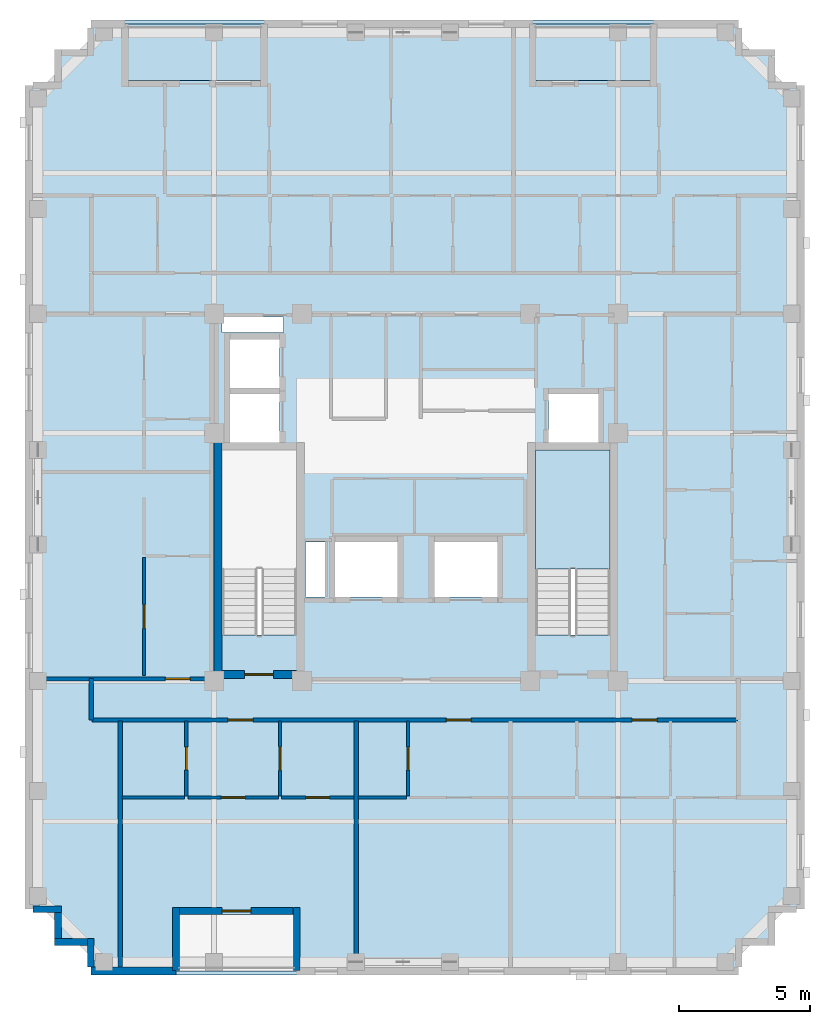
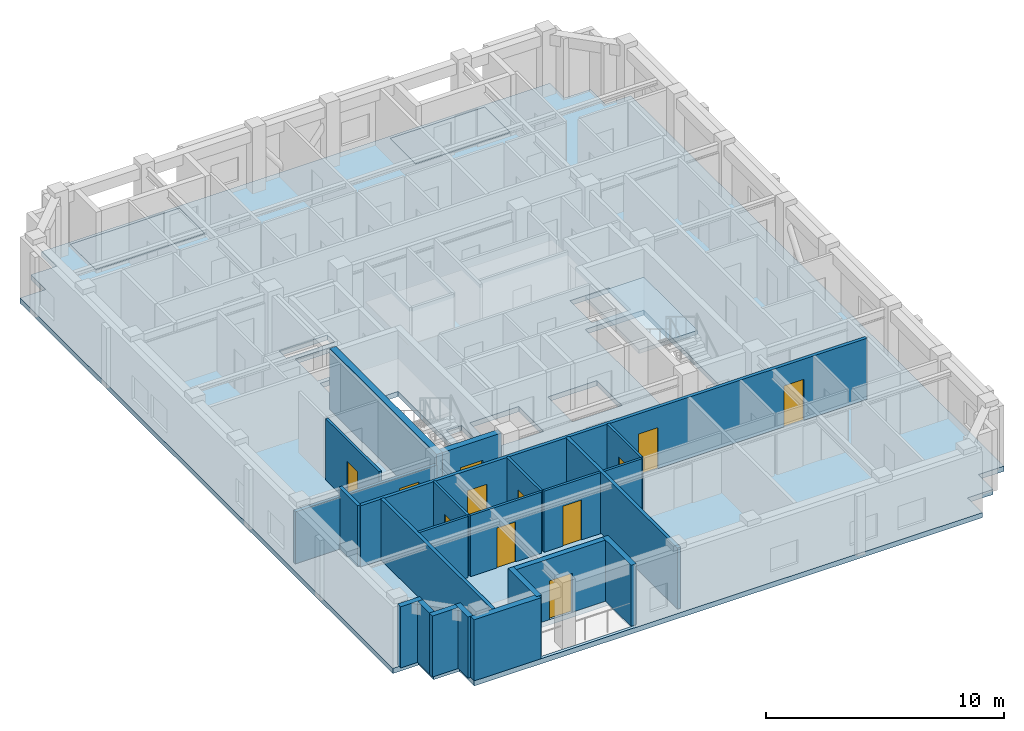
# One storey, part 2 of 11: 23 walls, 12 doors, 4 slabs, 12 openings, 1 element without a shape of its own.
"""IFC4 building model written with IfcOpenShell, lengths in metres."""

from ifc_helpers import new_model, si_unit, derived_unit, direction, frame, frame_2d, origin, place, context, subcontext, project, spatial, polyline, rectangle, outline, extrude, material, layer, layer_set, type_object, element, fill, aggregate, save


model = new_model("IFC4")

# Units and contexts
model_context = context("Model", 3, precision=1e-05, world=origin(), true_north=direction((0.0, 1.0)))
body_context = subcontext(model_context, "Body", "Model", "MODEL_VIEW")
ifc_project = project(units=[si_unit("LENGTHUNIT", "METRE"), si_unit("AREAUNIT", "SQUARE_METRE"), si_unit("VOLUMEUNIT", "CUBIC_METRE"), si_unit("PLANEANGLEUNIT", "RADIAN"), si_unit("MASSUNIT", "GRAM", prefix="KILO"), derived_unit("THERMALTRANSMITTANCEUNIT", [(si_unit("MASSUNIT", "GRAM", prefix="KILO"), 1), (si_unit("TIMEUNIT", "SECOND"), -3), (si_unit("THERMODYNAMICTEMPERATUREUNIT", "KELVIN"), -1)])], contexts=[model_context])

# Site, building, storey
site_placement = place(None, origin())
site = spatial("IfcSite", under=ifc_project, at=site_placement, CompositionType="ELEMENT")
building_placement = place(site_placement, origin())
building = spatial("IfcBuilding", under=site, at=building_placement, Name="Korrvale Station Residences", CompositionType="ELEMENT")
storey_placement = place(building_placement, frame((0.0, 0.0, 251.300048828125)))
storey = spatial("IfcBuildingStorey", under=building, at=storey_placement, Name="L73", CompositionType="ELEMENT", Elevation=251.300048828125)

# Slabs
ifc_material_1 = material(Name="Concrete C50/60", Category="concrete")
ifc_layer_1 = layer(ifc_material_1, 0.219970703125, Name="Concrete C50/60")
ifc_layer_set_1 = layer_set([ifc_layer_1], Name="Concrete C50/60")
slab_type_1 = type_object("IfcSlabType", Name="SLB-BAL-220", PredefinedType="FLOOR", material=ifc_layer_set_1)
slab_1_placement = place(storey_placement, frame((0.0, 0.0, -0.219970703125)))
element("IfcSlab", 1, at=slab_1_placement, inside=storey, type_object=slab_type_1, Name="L73 Recessed Loggia Balcony Slab BAL-L73-N1", PredefinedType="FLOOR", context=body_context, shape_type="SweptSolid", body=[
    extrude(outline(polyline([(29.949951171875, 37.89990234375), (34.550048828125, 37.89990234375), (34.550048828125, 40.050048828125), (29.949951171875, 40.050048828125), (29.949951171875, 37.89990234375)])), origin(), (0.0, 0.0, 1.0), 0.219970703125),
])
slab_2_placement = place(storey_placement, frame((0.0, 0.0, -0.219970703125)))
element("IfcSlab", 2, at=slab_2_placement, inside=storey, type_object=slab_type_1, Name="L73 Recessed Loggia Balcony Slab BAL-L73-N2", PredefinedType="FLOOR", context=body_context, shape_type="SweptSolid", body=[
    extrude(outline(polyline([(14.39990234375, 37.89990234375), (19.699951171875, 37.89990234375), (19.699951171875, 40.050048828125), (14.39990234375, 40.050048828125), (14.39990234375, 37.89990234375)])), origin(), (0.0, 0.0, 1.0), 0.219970703125),
])
ifc_layer_2 = layer(ifc_material_1, 0.260009765625, Name="Concrete C50/60")
ifc_layer_set_2 = layer_set([ifc_layer_2], Name="Concrete C50/60")
slab_type_2 = type_object("IfcSlabType", Name="SLB-FLR-260", PredefinedType="FLOOR", material=ifc_layer_set_2)
slab_3_placement = place(storey_placement, frame((0.0, 0.0, -0.260009765625)))
element("IfcSlab", 3, at=slab_3_placement, inside=storey, type_object=slab_type_2, Name="L73 Suspended Structural Floor Slab", PredefinedType="FLOOR", context=body_context, shape_type="SweptSolid", body=[
    extrude(outline(polyline([(13.10009765625, 3.800048828125), (37.800048828125, 3.800048828125), (37.800048828125, 5.050048828125), (39.050048828125, 5.050048828125), (39.050048828125, 6.300048828125), (40.300048828125, 6.300048828125), (40.300048828125, 37.699951171875), (39.050048828125, 37.699951171875), (39.050048828125, 38.949951171875), (37.800048828125, 38.949951171875), (37.800048828125, 40.199951171875), (13.10009765625, 40.199951171875), (13.10009765625, 38.949951171875), (11.85009765625, 38.949951171875), (11.85009765625, 37.699951171875), (10.60009765625, 37.699951171875), (10.60009765625, 6.300048828125), (11.85009765625, 6.300048828125), (11.85009765625, 5.050048828125), (13.10009765625, 5.050048828125), (13.10009765625, 3.800048828125)]), holes=[polyline([(20.949951171875, 16.751953125), (20.949951171875, 23.800048828125), (18.10009765625, 23.800048828125), (18.10009765625, 16.751953125), (20.949951171875, 16.751953125)]), polyline([(32.89990234375, 16.751953125), (32.89990234375, 23.800048828125), (30.050048828125, 23.800048828125), (30.050048828125, 16.751953125), (32.89990234375, 16.751953125)]), polyline([(18.39990234375, 24.10009765625), (20.300048828125, 24.10009765625), (20.300048828125, 25.949951171875), (18.39990234375, 25.949951171875), (18.39990234375, 24.10009765625)]), polyline([(18.39990234375, 26.169921875), (20.300048828125, 26.169921875), (20.300048828125, 28.02001953125), (18.39990234375, 28.02001953125), (18.39990234375, 26.169921875)]), polyline([(30.550048828125, 24.10009765625), (32.449951171875, 24.10009765625), (32.449951171875, 25.949951171875), (30.550048828125, 25.949951171875), (30.550048828125, 24.10009765625)]), polyline([(22.39990234375, 18.199951171875), (24.800048828125, 18.199951171875), (24.800048828125, 20.300048828125), (22.39990234375, 20.300048828125), (22.39990234375, 18.199951171875)]), polyline([(26.199951171875, 18.199951171875), (28.60009765625, 18.199951171875), (28.60009765625, 20.300048828125), (26.199951171875, 20.300048828125), (26.199951171875, 18.199951171875)]), polyline([(18.10009765625, 28.280029296875), (20.449951171875, 28.280029296875), (20.449951171875, 28.8798828125), (18.10009765625, 28.8798828125), (18.10009765625, 28.280029296875)]), polyline([(21.280029296875, 18.199951171875), (22.02001953125, 18.199951171875), (22.02001953125, 20.300048828125), (21.280029296875, 20.300048828125), (21.280029296875, 18.199951171875)]), polyline([(16.35009765625, 3.949951171875), (20.949951171875, 3.949951171875), (20.949951171875, 6.10009765625), (16.35009765625, 6.10009765625), (16.35009765625, 3.949951171875)]), polyline([(29.949951171875, 37.89990234375), (34.550048828125, 37.89990234375), (34.550048828125, 40.050048828125), (29.949951171875, 40.050048828125), (29.949951171875, 37.89990234375)]), polyline([(14.39990234375, 37.89990234375), (19.699951171875, 37.89990234375), (19.699951171875, 40.050048828125), (14.39990234375, 40.050048828125), (14.39990234375, 37.89990234375)])]), origin(), (0.0, 0.0, 1.0), 0.260009765625),
])

# Stair, slab
stair_type = type_object("IfcStairType", Name="STR-DL-1350-20R-1700", PredefinedType="HALF_TURN_STAIR", material=ifc_material_1)
stair_placement = place(storey_placement, origin())
stair = element("IfcStair", 4, at=stair_placement, inside=storey, type_object=stair_type, Name="L73 Exit Stair 2", PredefinedType="HALF_TURN_STAIR")
ifc_layer_3 = layer(ifc_material_1, 0.199951171875, Name="Concrete C50/60")
ifc_layer_set_3 = layer_set([ifc_layer_3], Name="Concrete C50/60")
slab_type_3 = type_object("IfcSlabType", Name="SLB-LND-200", PredefinedType="LANDING", material=ifc_layer_set_3)
slab_4_placement = place(storey_placement, frame((0.0, 0.0, 1.5)))
slab_4 = element("IfcSlab", 5, at=slab_4_placement, type_object=slab_type_3, Name="ST-2 landing 1", PredefinedType="LANDING", context=body_context, shape_type="SweptSolid", body=[
    extrude(outline(polyline([(32.89990234375, 19.27001953125), (32.89990234375, 23.800048828125), (30.050048828125, 23.800048828125), (30.050048828125, 19.27001953125), (32.89990234375, 19.27001953125)])), origin(), (0.0, 0.0, 1.0), 0.199951171875),
])
aggregate(stair, [slab_4])

# Wall
ifc_layer_4 = layer(ifc_material_1, 0.300048828125, Name="Concrete C50/60")
ifc_layer_set_4 = layer_set([ifc_layer_4], Name="Concrete C50/60")
wall_type_1 = type_object("IfcWallType", Name="WAL-CORE-300-C50", PredefinedType="SHEAR", material=ifc_layer_set_4)
wall_1_placement = place(storey_placement, frame((17.949951171875, 15.10009765625, 0.0), z_axis=(0.0, 0.0, 1.0), x_axis=(0.0, 1.0, 0.0)))
element("IfcWall", 6, at=wall_1_placement, inside=storey, type_object=wall_type_1, Name="L73 ST-1 Core Shear Wall West", PredefinedType="SHEAR", context=body_context, shape_type="SweptSolid", body=[
    extrude(rectangle(XDim=9.0, YDim=0.300048828125, at=frame_2d((4.5, 0.0))), origin(), (0.0, 0.0, 1.0), 3.139892578125),
])

# Wall, opening, door
wall_2_placement = place(storey_placement, frame((18.10009765625, 15.25, 0.0), z_axis=(0.0, 0.0, 1.0), x_axis=(1.0, 0.0, 0.0)))
wall_2 = element("IfcWall", 7, at=wall_2_placement, inside=storey, type_object=wall_type_1, Name="L73 ST-1 Core Shear Wall South", PredefinedType="SHEAR", context=body_context, shape_type="SweptSolid", body=[
    extrude(rectangle(XDim=2.849853515625, YDim=0.300048828125, at=frame_2d((1.4248046875, 0.0))), origin(), (0.0, 0.0, 1.0), 3.139892578125),
])
opening_1_placement = place(wall_2_placement, frame((0.860107421875, 0.0, 0.0)))
opening_1 = element("IfcOpeningElement", 8, at=opening_1_placement, cuts=wall_2, Name="Opening SD-1100", PredefinedType="OPENING", context=body_context, shape_type="SweptSolid", body=[
    extrude(rectangle(XDim=1.10009765625, YDim=2.050048828125, at=frame_2d((0.550048828125, 1.02490234375))), frame((0.0, 0.16015625, 0.0), z_axis=(0.0, -1.0, 0.0), x_axis=(1.0, 0.0, 0.0)), (0.0, 0.0, 1.0), 0.320068359375),
])
ifc_material_2 = material(Name="Hollow-metal fire-rated stair door with closer", Category="steel")
door_type_1 = type_object("IfcDoorType", Name="DR-STAIR-1100", OperationType="NOTDEFINED", PredefinedType="DOOR", material=ifc_material_2)
door_1_placement = place(opening_1_placement, origin())
door_1 = element("IfcDoor", 9, at=door_1_placement, inside=storey, type_object=door_type_1, Name="L73 ST-1 Exit Stair Door", OperationType="SINGLE_SWING_LEFT", OverallHeight=2.050048828125, OverallWidth=1.10009765625, PredefinedType="DOOR", context=body_context, shape_type="SweptSolid", body=[
    extrude(rectangle(XDim=1.10009765625, YDim=2.050048828125, at=frame_2d((0.550048828125, 1.02490234375))), frame((0.0, 0.02490234375, 0.0), z_axis=(0.0, -1.0, 0.0), x_axis=(1.0, 0.0, 0.0)), (0.0, 0.0, 1.0), 0.050048828125),
])
fill(opening_1, door_1)

# Wall
ifc_material_3 = material(Name="Precast concrete C45/55", Category="concrete")
ifc_layer_5 = layer(ifc_material_3, 0.260009765625, Name="Precast concrete C45/55")
ifc_layer_set_5 = layer_set([ifc_layer_5], Name="Precast concrete C45/55")
wall_type_2 = type_object("IfcWallType", Name="WAL-EXT-LOG260", PredefinedType="SOLIDWALL", material=ifc_layer_set_5)
wall_3_placement = place(storey_placement, frame((20.949951171875, 3.9599609375, 0.0), z_axis=(0.0, 0.0, 1.0), x_axis=(0.0, 1.0, 0.0)))
element("IfcWall", 10, at=wall_3_placement, inside=storey, type_object=wall_type_2, Name="L73 Recessed Loggia Wall BAL-L73-S1-L", PredefinedType="SOLIDWALL", context=body_context, shape_type="SweptSolid", body=[
    extrude(rectangle(XDim=2.400146484375, YDim=0.260009765625, at=frame_2d((1.2001953125, 0.0))), origin(), (0.0, 0.0, 1.0), 3.139892578125),
])

# Wall, opening, door
wall_4_placement = place(storey_placement, frame((20.81591796875, 6.22998046875, 0.0), z_axis=(0.0, 0.0, 1.0), x_axis=(-1.0, 0.0, 0.0)))
wall_4 = element("IfcWall", 11, at=wall_4_placement, inside=storey, type_object=wall_type_2, Name="L73 Recessed Loggia Wall BAL-L73-S1-B", PredefinedType="SOLIDWALL", context=body_context, shape_type="SweptSolid", body=[
    extrude(rectangle(XDim=4.33203125, YDim=0.260009765625, at=frame_2d((2.166015625, 0.0))), origin(), (0.0, 0.0, 1.0), 3.139892578125),
])
opening_2_placement = place(wall_4_placement, frame((1.615966796875, 0.0, 0.0)))
opening_2 = element("IfcOpeningElement", 12, at=opening_2_placement, cuts=wall_4, Name="Opening BD-01", PredefinedType="OPENING", context=body_context, shape_type="SweptSolid", body=[
    extrude(rectangle(XDim=1.10009765625, YDim=2.0, at=frame_2d((0.550048828125, 1.0))), frame((0.0, 0.14013671875, 0.0), z_axis=(0.0, -1.0, 0.0), x_axis=(1.0, 0.0, 0.0)), (0.0, 0.0, 1.0), 0.280029296875),
])
ifc_material_4 = material(Name="Exterior thermally broken aluminium glazed balcony door", Category="aluminium")
door_type_2 = type_object("IfcDoorType", Name="DR-EXT-BAL", OperationType="NOTDEFINED", PredefinedType="DOOR", material=ifc_material_4)
door_2_placement = place(opening_2_placement, origin())
door_2 = element("IfcDoor", 13, at=door_2_placement, inside=storey, type_object=door_type_2, Name="L73 Loggia Balcony Door BAL-L73-S1", OperationType="SINGLE_SWING_RIGHT", OverallHeight=2.0, OverallWidth=1.10009765625, PredefinedType="DOOR", context=body_context, shape_type="SweptSolid", body=[
    extrude(rectangle(XDim=1.10009765625, YDim=2.0, at=frame_2d((0.550048828125, 1.0))), frame((0.0, 0.02490234375, 0.0), z_axis=(0.0, -1.0, 0.0), x_axis=(1.0, 0.0, 0.0)), (0.0, 0.0, 1.0), 0.050048828125),
])
fill(opening_2, door_2)

# Walls
wall_5_placement = place(storey_placement, frame((16.35009765625, 6.360107421875, 0.0), z_axis=(0.0, 0.0, 1.0), x_axis=(0.0, -1.0, 0.0)))
element("IfcWall", 14, at=wall_5_placement, inside=storey, type_object=wall_type_2, Name="L73 Recessed Loggia Wall BAL-L73-S1-R", PredefinedType="SOLIDWALL", context=body_context, shape_type="SweptSolid", body=[
    extrude(rectangle(XDim=2.400146484375, YDim=0.260009765625, at=frame_2d((1.2001953125, 0.0))), origin(), (0.0, 0.0, 1.0), 3.139892578125),
])
wall_6_placement = place(storey_placement, frame((13.10009765625, 4.10205078125, 0.0), z_axis=(0.0, 0.0, 1.0), x_axis=(0.0, 1.0, 0.0)))
element("IfcWall", 15, at=wall_6_placement, inside=storey, type_object=wall_type_2, Name="L73 Serrated Corner Precast Step SW-1", PredefinedType="SOLIDWALL", context=body_context, shape_type="SweptSolid", body=[
    extrude(rectangle(XDim=1.077880859375, YDim=0.260009765625, at=frame_2d((0.5390625, 0.0))), origin(), (0.0, 0.0, 1.0), 3.139892578125),
])
wall_7_placement = place(storey_placement, frame((12.968017578125, 5.050048828125, 0.0), z_axis=(0.0, 0.0, 1.0), x_axis=(-1.0, 0.0, 0.0)))
element("IfcWall", 16, at=wall_7_placement, inside=storey, type_object=wall_type_2, Name="L73 Serrated Corner Precast Step SW-2", PredefinedType="SOLIDWALL", context=body_context, shape_type="SweptSolid", body=[
    extrude(rectangle(XDim=1.248046875, YDim=0.260009765625, at=frame_2d((0.6240234375, 0.0))), origin(), (0.0, 0.0, 1.0), 3.139892578125),
])
wall_8_placement = place(storey_placement, frame((11.85009765625, 5.181884765625, 0.0), z_axis=(0.0, 0.0, 1.0), x_axis=(0.0, 1.0, 0.0)))
element("IfcWall", 17, at=wall_8_placement, inside=storey, type_object=wall_type_2, Name="L73 Serrated Corner Precast Step SW-3", PredefinedType="SOLIDWALL", context=body_context, shape_type="SweptSolid", body=[
    extrude(rectangle(XDim=0.986083984375, YDim=0.260009765625, at=frame_2d((0.4931640625, 0.0))), origin(), (0.0, 0.0, 1.0), 3.139892578125),
])
wall_9_placement = place(storey_placement, frame((11.97998046875, 6.300048828125, 0.0), z_axis=(0.0, 0.0, 1.0), x_axis=(-1.0, 0.0, 0.0)))
element("IfcWall", 18, at=wall_9_placement, inside=storey, type_object=wall_type_2, Name="L73 Serrated Corner Precast Step SW-4", PredefinedType="SOLIDWALL", context=body_context, shape_type="SweptSolid", body=[
    extrude(rectangle(XDim=1.077880859375, YDim=0.260009765625, at=frame_2d((0.5390625, 0.0))), origin(), (0.0, 0.0, 1.0), 3.139892578125),
])
ifc_layer_6 = layer(ifc_material_3, 0.300048828125, Name="Precast concrete C45/55")
ifc_layer_set_6 = layer_set([ifc_layer_6], Name="Precast concrete C45/55")
wall_type_3 = type_object("IfcWallType", Name="WAL-EXT-PC300", PredefinedType="SOLIDWALL", material=ifc_layer_set_6)
wall_10_placement = place(storey_placement, frame((16.35009765625, 3.949951171875, 0.0), z_axis=(0.0, 0.0, 1.0), x_axis=(-1.0, 0.0, 0.0)))
element("IfcWall", 19, at=wall_10_placement, inside=storey, type_object=wall_type_3, Name="L73 South Exterior Precast Wall 2", PredefinedType="SOLIDWALL", context=body_context, shape_type="SweptSolid", body=[
    extrude(rectangle(XDim=3.25, YDim=0.300048828125, at=frame_2d((1.625, 0.0))), origin(), (0.0, 0.0, 1.0), 3.139892578125),
])

# Wall, opening, door
ifc_material_5 = material(Name="Acoustic steel-stud gypsum board partition", Category="steel")
ifc_layer_7 = layer(ifc_material_5, 0.1201171875, Name="Acoustic steel-stud gypsum board partition")
ifc_layer_set_7 = layer_set([ifc_layer_7], Name="Acoustic steel-stud gypsum board partition")
wall_type_4 = type_object("IfcWallType", Name="WAL-PART-125", PredefinedType="PARTITIONING", material=ifc_layer_set_7)
wall_11_placement = place(storey_placement, frame((16.739990234375, 10.6201171875, 0.0), z_axis=(0.0, 0.0, 1.0), x_axis=(0.0, 1.0, 0.0)))
wall_11 = element("IfcWall", 20, at=wall_11_placement, inside=storey, type_object=wall_type_4, Name="L73 Suite Partition U01-V01", PredefinedType="PARTITIONING", context=body_context, shape_type="SweptSolid", body=[
    extrude(rectangle(XDim=2.849853515625, YDim=0.1201171875, at=frame_2d((1.4248046875, 0.0))), origin(), (0.0, 0.0, 1.0), 3.139892578125),
])
opening_3_placement = place(wall_11_placement, frame((0.9951171875, 0.0, 0.0)))
opening_3 = element("IfcOpeningElement", 21, at=opening_3_placement, cuts=wall_11, Name="Opening DB-860", PredefinedType="OPENING", context=body_context, shape_type="SweptSolid", body=[
    extrude(rectangle(XDim=0.860107421875, YDim=2.050048828125, at=frame_2d((0.43017578125, 1.02490234375))), frame((0.0, 0.070068359375, 0.0), z_axis=(0.0, -1.0, 0.0), x_axis=(1.0, 0.0, 0.0)), (0.0, 0.0, 1.0), 0.14013671875),
])
ifc_material_6 = material(Name="Moisture-resistant solid-core bathroom door", Category="timber")
door_type_3 = type_object("IfcDoorType", Name="DR-BATH-860", OperationType="NOTDEFINED", PredefinedType="DOOR", material=ifc_material_6)
door_3_placement = place(opening_3_placement, origin())
door_3 = element("IfcDoor", 22, at=door_3_placement, inside=storey, type_object=door_type_3, Name="L73 Studio Apartment L73-U01 Bathroom Door", OperationType="SINGLE_SWING_LEFT", OverallHeight=2.050048828125, OverallWidth=0.860107421875, PredefinedType="DOOR", context=body_context, shape_type="SweptSolid", body=[
    extrude(rectangle(XDim=0.860107421875, YDim=2.050048828125, at=frame_2d((0.43017578125, 1.02490234375))), frame((0.0, 0.02490234375, 0.0), z_axis=(0.0, -1.0, 0.0), x_axis=(1.0, 0.0, 0.0)), (0.0, 0.0, 1.0), 0.050048828125),
])
fill(opening_3, door_3)

# Wall
wall_12_placement = place(storey_placement, frame((14.280029296875, 10.56005859375, 0.0), z_axis=(0.0, 0.0, 1.0), x_axis=(1.0, 0.0, 0.0)))
element("IfcWall", 23, at=wall_12_placement, inside=storey, type_object=wall_type_4, Name="L73 Suite Partition U01-H03", PredefinedType="PARTITIONING", context=body_context, shape_type="SweptSolid", body=[
    extrude(rectangle(XDim=2.39990234375, YDim=0.1201171875, at=frame_2d((1.199951171875, 0.0))), origin(), (0.0, 0.0, 1.0), 3.139892578125),
])

# Wall, opening, door
wall_13_placement = place(storey_placement, frame((20.31005859375, 10.6201171875, 0.0), z_axis=(0.0, 0.0, 1.0), x_axis=(0.0, 1.0, 0.0)))
wall_13 = element("IfcWall", 24, at=wall_13_placement, inside=storey, type_object=wall_type_4, Name="L73 Suite Partition U01-V12", PredefinedType="PARTITIONING", context=body_context, shape_type="SweptSolid", body=[
    extrude(rectangle(XDim=2.849853515625, YDim=0.1201171875, at=frame_2d((1.4248046875, 0.0))), origin(), (0.0, 0.0, 1.0), 3.139892578125),
])
opening_4_placement = place(wall_13_placement, frame((0.97509765625, 0.0, 0.0)))
opening_4 = element("IfcOpeningElement", 25, at=opening_4_placement, cuts=wall_13, Name="Opening DI-900", PredefinedType="OPENING", context=body_context, shape_type="SweptSolid", body=[
    extrude(rectangle(XDim=0.89990234375, YDim=2.050048828125, at=frame_2d((0.449951171875, 1.02490234375))), frame((0.0, 0.070068359375, 0.0), z_axis=(0.0, -1.0, 0.0), x_axis=(1.0, 0.0, 0.0)), (0.0, 0.0, 1.0), 0.14013671875),
])
ifc_material_7 = material(Name="Painted solid-core timber interior room door", Category="wood")
door_type_4 = type_object("IfcDoorType", Name="DR-INT-900", OperationType="NOTDEFINED", PredefinedType="DOOR", material=ifc_material_7)
door_4_placement = place(opening_4_placement, origin())
door_4 = element("IfcDoor", 26, at=door_4_placement, inside=storey, type_object=door_type_4, Name="L73 Studio Apartment L73-U01 Kitchen Door", OperationType="SINGLE_SWING_RIGHT", OverallHeight=2.050048828125, OverallWidth=0.89990234375, PredefinedType="DOOR", context=body_context, shape_type="SweptSolid", body=[
    extrude(rectangle(XDim=0.89990234375, YDim=2.050048828125, at=frame_2d((0.449951171875, 1.02490234375))), frame((0.0, 0.02490234375, 0.0), z_axis=(0.0, -1.0, 0.0), x_axis=(1.0, 0.0, 0.0)), (0.0, 0.0, 1.0), 0.050048828125),
])
fill(opening_4, door_4)

wall_14_placement = place(storey_placement, frame((16.800048828125, 10.56005859375, 0.0), z_axis=(0.0, 0.0, 1.0), x_axis=(1.0, 0.0, 0.0)))
wall_14 = element("IfcWall", 27, at=wall_14_placement, inside=storey, type_object=wall_type_4, Name="L73 Suite Partition U01-H13", PredefinedType="PARTITIONING", context=body_context, shape_type="SweptSolid", body=[
    extrude(rectangle(XDim=3.449951171875, YDim=0.1201171875, at=frame_2d((1.72509765625, 0.0))), origin(), (0.0, 0.0, 1.0), 3.139892578125),
])
opening_5_placement = place(wall_14_placement, frame((1.27490234375, 0.0, 0.0)))
opening_5 = element("IfcOpeningElement", 28, at=opening_5_placement, cuts=wall_14, Name="Opening DI-900", PredefinedType="OPENING", context=body_context, shape_type="SweptSolid", body=[
    extrude(rectangle(XDim=0.89990234375, YDim=2.050048828125, at=frame_2d((0.449951171875, 1.02490234375))), frame((0.0, 0.070068359375, 0.0), z_axis=(0.0, -1.0, 0.0), x_axis=(1.0, 0.0, 0.0)), (0.0, 0.0, 1.0), 0.14013671875),
])
door_5_placement = place(opening_5_placement, origin())
door_5 = element("IfcDoor", 29, at=door_5_placement, inside=storey, type_object=door_type_4, Name="L73 Studio Apartment L73-U01 Kitchen Door", OperationType="SINGLE_SWING_LEFT", OverallHeight=2.050048828125, OverallWidth=0.89990234375, PredefinedType="DOOR", context=body_context, shape_type="SweptSolid", body=[
    extrude(rectangle(XDim=0.89990234375, YDim=2.050048828125, at=frame_2d((0.449951171875, 1.02490234375))), frame((0.0, 0.02490234375, 0.0), z_axis=(0.0, -1.0, 0.0), x_axis=(1.0, 0.0, 0.0)), (0.0, 0.0, 1.0), 0.050048828125),
])
fill(opening_5, door_5)

wall_15_placement = place(storey_placement, frame((20.3701171875, 10.56005859375, 0.0), z_axis=(0.0, 0.0, 1.0), x_axis=(1.0, 0.0, 0.0)))
wall_15 = element("IfcWall", 30, at=wall_15_placement, inside=storey, type_object=wall_type_4, Name="L73 Suite Partition U01-H23", PredefinedType="PARTITIONING", context=body_context, shape_type="SweptSolid", body=[
    extrude(rectangle(XDim=2.75, YDim=0.1201171875, at=frame_2d((1.375, 0.0))), origin(), (0.0, 0.0, 1.0), 3.139892578125),
])
opening_6_placement = place(wall_15_placement, frame((0.925048828125, 0.0, 0.0)))
opening_6 = element("IfcOpeningElement", 31, at=opening_6_placement, cuts=wall_15, Name="Opening DI-900", PredefinedType="OPENING", context=body_context, shape_type="SweptSolid", body=[
    extrude(rectangle(XDim=0.89990234375, YDim=2.050048828125, at=frame_2d((0.449951171875, 1.02490234375))), frame((0.0, 0.070068359375, 0.0), z_axis=(0.0, -1.0, 0.0), x_axis=(1.0, 0.0, 0.0)), (0.0, 0.0, 1.0), 0.14013671875),
])
door_6_placement = place(opening_6_placement, origin())
door_6 = element("IfcDoor", 32, at=door_6_placement, inside=storey, type_object=door_type_4, Name="L73 Studio Apartment L73-U01 Utility and Laundry Room Door", OperationType="SINGLE_SWING_RIGHT", OverallHeight=2.050048828125, OverallWidth=0.89990234375, PredefinedType="DOOR", context=body_context, shape_type="SweptSolid", body=[
    extrude(rectangle(XDim=0.89990234375, YDim=2.050048828125, at=frame_2d((0.449951171875, 1.02490234375))), frame((0.0, 0.02490234375, 0.0), z_axis=(0.0, -1.0, 0.0), x_axis=(1.0, 0.0, 0.0)), (0.0, 0.0, 1.0), 0.050048828125),
])
fill(opening_6, door_6)

wall_16_placement = place(storey_placement, frame((25.18994140625, 10.6201171875, 0.0), z_axis=(0.0, 0.0, 1.0), x_axis=(0.0, 1.0, 0.0)))
wall_16 = element("IfcWall", 33, at=wall_16_placement, inside=storey, type_object=wall_type_4, Name="L73 Suite Partition U02-V01", PredefinedType="PARTITIONING", context=body_context, shape_type="SweptSolid", body=[
    extrude(rectangle(XDim=2.849853515625, YDim=0.1201171875, at=frame_2d((1.4248046875, 0.0))), origin(), (0.0, 0.0, 1.0), 3.139892578125),
])
opening_7_placement = place(wall_16_placement, frame((0.9951171875, 0.0, 0.0)))
opening_7 = element("IfcOpeningElement", 34, at=opening_7_placement, cuts=wall_16, Name="Opening DB-860", PredefinedType="OPENING", context=body_context, shape_type="SweptSolid", body=[
    extrude(rectangle(XDim=0.860107421875, YDim=2.050048828125, at=frame_2d((0.43017578125, 1.02490234375))), frame((0.0, 0.070068359375, 0.0), z_axis=(0.0, -1.0, 0.0), x_axis=(1.0, 0.0, 0.0)), (0.0, 0.0, 1.0), 0.14013671875),
])
door_7_placement = place(opening_7_placement, origin())
door_7 = element("IfcDoor", 35, at=door_7_placement, inside=storey, type_object=door_type_3, Name="L73 Studio Apartment L73-U02 Bathroom Door", OperationType="SINGLE_SWING_LEFT", OverallHeight=2.050048828125, OverallWidth=0.860107421875, PredefinedType="DOOR", context=body_context, shape_type="SweptSolid", body=[
    extrude(rectangle(XDim=0.860107421875, YDim=2.050048828125, at=frame_2d((0.43017578125, 1.02490234375))), frame((0.0, 0.02490234375, 0.0), z_axis=(0.0, -1.0, 0.0), x_axis=(1.0, 0.0, 0.0)), (0.0, 0.0, 1.0), 0.050048828125),
])
fill(opening_7, door_7)

# Wall
wall_17_placement = place(storey_placement, frame((23.280029296875, 10.56005859375, 0.0), z_axis=(0.0, 0.0, 1.0), x_axis=(1.0, 0.0, 0.0)))
element("IfcWall", 36, at=wall_17_placement, inside=storey, type_object=wall_type_4, Name="L73 Suite Partition U02-H02", PredefinedType="PARTITIONING", context=body_context, shape_type="SweptSolid", body=[
    extrude(rectangle(XDim=1.849853515625, YDim=0.1201171875, at=frame_2d((0.9248046875, 0.0))), origin(), (0.0, 0.0, 1.0), 3.139892578125),
])

# Wall, opening, door
wall_18_placement = place(storey_placement, frame((15.1298828125, 15.2099609375, 0.0), z_axis=(0.0, 0.0, 1.0), x_axis=(0.0, 1.0, 0.0)))
wall_18 = element("IfcWall", 37, at=wall_18_placement, inside=storey, type_object=wall_type_4, Name="L73 Suite Partition U06-V12", PredefinedType="PARTITIONING", context=body_context, shape_type="SweptSolid", body=[
    extrude(rectangle(XDim=4.5, YDim=0.1201171875, at=frame_2d((2.25, 0.0))), origin(), (0.0, 0.0, 1.0), 3.139892578125),
])
opening_8_placement = place(wall_18_placement, frame((1.800048828125, 0.0, 0.0)))
opening_8 = element("IfcOpeningElement", 38, at=opening_8_placement, cuts=wall_18, Name="Opening DI-900", PredefinedType="OPENING", context=body_context, shape_type="SweptSolid", body=[
    extrude(rectangle(XDim=0.89990234375, YDim=2.050048828125, at=frame_2d((0.449951171875, 1.02490234375))), frame((0.0, 0.070068359375, 0.0), z_axis=(0.0, -1.0, 0.0), x_axis=(1.0, 0.0, 0.0)), (0.0, 0.0, 1.0), 0.14013671875),
])
door_8_placement = place(opening_8_placement, origin())
door_8 = element("IfcDoor", 39, at=door_8_placement, inside=storey, type_object=door_type_4, Name="L73 Studio Apartment L73-U06 Kitchen Door", OperationType="SINGLE_SWING_RIGHT", OverallHeight=2.050048828125, OverallWidth=0.89990234375, PredefinedType="DOOR", context=body_context, shape_type="SweptSolid", body=[
    extrude(rectangle(XDim=0.89990234375, YDim=2.050048828125, at=frame_2d((0.449951171875, 1.02490234375))), frame((0.0, 0.02490234375, 0.0), z_axis=(0.0, -1.0, 0.0), x_axis=(1.0, 0.0, 0.0)), (0.0, 0.0, 1.0), 0.050048828125),
])
fill(opening_8, door_8)

# Walls
ifc_material_8 = material(Name="Fire-rated twin-stud gypsum and mineral wool shaftwall assembly", Category="gypsum")
ifc_layer_8 = layer(ifc_material_8, 0.159912109375, Name="Fire-rated twin-stud gypsum and mineral wool shaftwall assembly")
ifc_layer_set_8 = layer_set([ifc_layer_8], Name="Fire-rated twin-stud gypsum and mineral wool shaftwall assembly")
wall_type_5 = type_object("IfcWallType", Name="WAL-PART-200", PredefinedType="PARTITIONING", material=ifc_layer_set_8)
wall_19_placement = place(storey_placement, frame((13.1201171875, 13.510009765625, 0.0), z_axis=(0.0, 0.0, 1.0), x_axis=(0.0, 1.0, 0.0)))
element("IfcWall", 40, at=wall_19_placement, inside=storey, type_object=wall_type_5, Name="L73 Corridor South West Cap", PredefinedType="PARTITIONING", context=body_context, shape_type="SweptSolid", body=[
    extrude(rectangle(XDim=1.580078125, YDim=0.159912109375, at=frame_2d((0.7900390625, 0.0))), origin(), (0.0, 0.0, 1.0), 3.139892578125),
])
for number, where, z_axis, x_axis, name in (
    (41, (14.219970703125, 4.080078125, 0.0), (0.0, 0.0, 1.0), (0.0, 1.0, 0.0), "L73 Demising Wall U01-W"),
    (42, (23.219970703125, 4.080078125, 0.0), (0.0, 0.0, 1.0), (0.0, 1.0, 0.0), "L73 Demising Wall U02-W"),
):
    element("IfcWall", number, at=place(storey_placement, frame(where, z_axis=z_axis, x_axis=x_axis)), inside=storey, type_object=wall_type_5, Name=name, PredefinedType="PARTITIONING", context=body_context, shape_type="SweptSolid", body=[
        extrude(rectangle(XDim=9.389892578125, YDim=0.159912109375, at=frame_2d((4.69482421875, 0.0))), origin(), (0.0, 0.0, 1.0), 3.139892578125),
    ])

# Wall, opening, door
wall_20_placement = place(storey_placement, frame((10.8798828125, 15.080078125, 0.0), z_axis=(0.0, 0.0, 1.0), x_axis=(1.0, 0.0, 0.0)))
wall_20 = element("IfcWall", 43, at=wall_20_placement, inside=storey, type_object=wall_type_5, Name="L73 Side Suite South Entry Wall U06", PredefinedType="PARTITIONING", context=body_context, shape_type="SweptSolid", body=[
    extrude(rectangle(XDim=6.880126953125, YDim=0.159912109375, at=frame_2d((3.43994140625, 0.0))), origin(), (0.0, 0.0, 1.0), 2.66796875),
])
opening_9_placement = place(wall_20_placement, frame((5.06005859375, 0.0, 0.0)))
opening_9 = element("IfcOpeningElement", 44, at=opening_9_placement, cuts=wall_20, Name="Opening UD-950", PredefinedType="OPENING", context=body_context, shape_type="SweptSolid", body=[
    extrude(rectangle(XDim=0.949951171875, YDim=2.10009765625, at=frame_2d((0.47509765625, 1.050048828125))), frame((0.0, 0.08984375, 0.0), z_axis=(0.0, -1.0, 0.0), x_axis=(1.0, 0.0, 0.0)), (0.0, 0.0, 1.0), 0.179931640625),
])
ifc_material_9 = material(Name="Solid-core acoustic oak apartment entrance door", Category="timber")
door_type_5 = type_object("IfcDoorType", Name="DR-UNIT-950", OperationType="NOTDEFINED", PredefinedType="DOOR", material=ifc_material_9)
door_9_placement = place(opening_9_placement, origin())
door_9 = element("IfcDoor", 45, at=door_9_placement, inside=storey, type_object=door_type_5, Name="L73 Apartment L73-U06 Entrance Door", OperationType="SINGLE_SWING_RIGHT", OverallHeight=2.10009765625, OverallWidth=0.949951171875, PredefinedType="DOOR", context=body_context, shape_type="SweptSolid", body=[
    extrude(rectangle(XDim=0.949951171875, YDim=2.10009765625, at=frame_2d((0.47509765625, 1.050048828125))), frame((0.0, 0.02490234375, 0.0), z_axis=(0.0, -1.0, 0.0), x_axis=(1.0, 0.0, 0.0)), (0.0, 0.0, 1.0), 0.050048828125),
])
fill(opening_9, door_9)

# Wall, openings, doors
wall_21_placement = place(storey_placement, frame((13.14990234375, 13.510009765625, 0.0), z_axis=(0.0, 0.0, 1.0), x_axis=(1.0, 0.0, 0.0)))
wall_21 = element("IfcWall", 46, at=wall_21_placement, inside=storey, type_object=wall_type_5, Name="L73 Rated Corridor Wall S", PredefinedType="PARTITIONING", context=body_context, shape_type="SweptSolid", body=[
    extrude(rectangle(XDim=24.60009765625, YDim=0.159912109375, at=frame_2d((12.300048828125, 0.0))), origin(), (0.0, 0.0, 1.0), 3.139892578125),
])
opening_10_placement = place(wall_21_placement, frame((5.18505859375, 0.0, 0.0)))
opening_10 = element("IfcOpeningElement", 47, at=opening_10_placement, cuts=wall_21, Name="Opening UD-950", PredefinedType="OPENING", context=body_context, shape_type="SweptSolid", body=[
    extrude(rectangle(XDim=0.949951171875, YDim=2.10009765625, at=frame_2d((0.47509765625, 1.050048828125))), frame((0.0, 0.08984375, 0.0), z_axis=(0.0, -1.0, 0.0), x_axis=(1.0, 0.0, 0.0)), (0.0, 0.0, 1.0), 0.179931640625),
])
opening_11_placement = place(wall_21_placement, frame((13.5029296875, 0.0, 0.0)))
opening_11 = element("IfcOpeningElement", 48, at=opening_11_placement, cuts=wall_21, Name="Opening UD-950", PredefinedType="OPENING", context=body_context, shape_type="SweptSolid", body=[
    extrude(rectangle(XDim=0.949951171875, YDim=2.10009765625, at=frame_2d((0.47509765625, 1.050048828125))), frame((0.0, 0.08984375, 0.0), z_axis=(0.0, -1.0, 0.0), x_axis=(1.0, 0.0, 0.0)), (0.0, 0.0, 1.0), 0.179931640625),
])
opening_12_placement = place(wall_21_placement, frame((20.5849609375, 0.0, 0.0)))
opening_12 = element("IfcOpeningElement", 49, at=opening_12_placement, cuts=wall_21, Name="Opening UD-950", PredefinedType="OPENING", context=body_context, shape_type="SweptSolid", body=[
    extrude(rectangle(XDim=0.949951171875, YDim=2.10009765625, at=frame_2d((0.47509765625, 1.050048828125))), frame((0.0, 0.08984375, 0.0), z_axis=(0.0, -1.0, 0.0), x_axis=(1.0, 0.0, 0.0)), (0.0, 0.0, 1.0), 0.179931640625),
])
door_10_placement = place(opening_10_placement, origin())
door_10 = element("IfcDoor", 50, at=door_10_placement, inside=storey, type_object=door_type_5, Name="L73 Apartment L73-U01 Entrance Door", OperationType="SINGLE_SWING_RIGHT", OverallHeight=2.10009765625, OverallWidth=0.949951171875, PredefinedType="DOOR", context=body_context, shape_type="SweptSolid", body=[
    extrude(rectangle(XDim=0.949951171875, YDim=2.10009765625, at=frame_2d((0.47509765625, 1.050048828125))), frame((0.0, 0.02490234375, 0.0), z_axis=(0.0, -1.0, 0.0), x_axis=(1.0, 0.0, 0.0)), (0.0, 0.0, 1.0), 0.050048828125),
])
fill(opening_10, door_10)
door_11_placement = place(opening_11_placement, origin())
door_11 = element("IfcDoor", 51, at=door_11_placement, inside=storey, type_object=door_type_5, Name="L73 Apartment L73-U02 Entrance Door", OperationType="SINGLE_SWING_LEFT", OverallHeight=2.10009765625, OverallWidth=0.949951171875, PredefinedType="DOOR", context=body_context, shape_type="SweptSolid", body=[
    extrude(rectangle(XDim=0.949951171875, YDim=2.10009765625, at=frame_2d((0.47509765625, 1.050048828125))), frame((0.0, 0.02490234375, 0.0), z_axis=(0.0, -1.0, 0.0), x_axis=(1.0, 0.0, 0.0)), (0.0, 0.0, 1.0), 0.050048828125),
])
fill(opening_11, door_11)
door_12_placement = place(opening_12_placement, origin())
door_12 = element("IfcDoor", 52, at=door_12_placement, inside=storey, type_object=door_type_5, Name="L73 Apartment L73-U03 Entrance Door", OperationType="SINGLE_SWING_RIGHT", OverallHeight=2.10009765625, OverallWidth=0.949951171875, PredefinedType="DOOR", context=body_context, shape_type="SweptSolid", body=[
    extrude(rectangle(XDim=0.949951171875, YDim=2.10009765625, at=frame_2d((0.47509765625, 1.050048828125))), frame((0.0, 0.02490234375, 0.0), z_axis=(0.0, -1.0, 0.0), x_axis=(1.0, 0.0, 0.0)), (0.0, 0.0, 1.0), 0.050048828125),
])
fill(opening_12, door_12)

save(model, "model.ifc")
